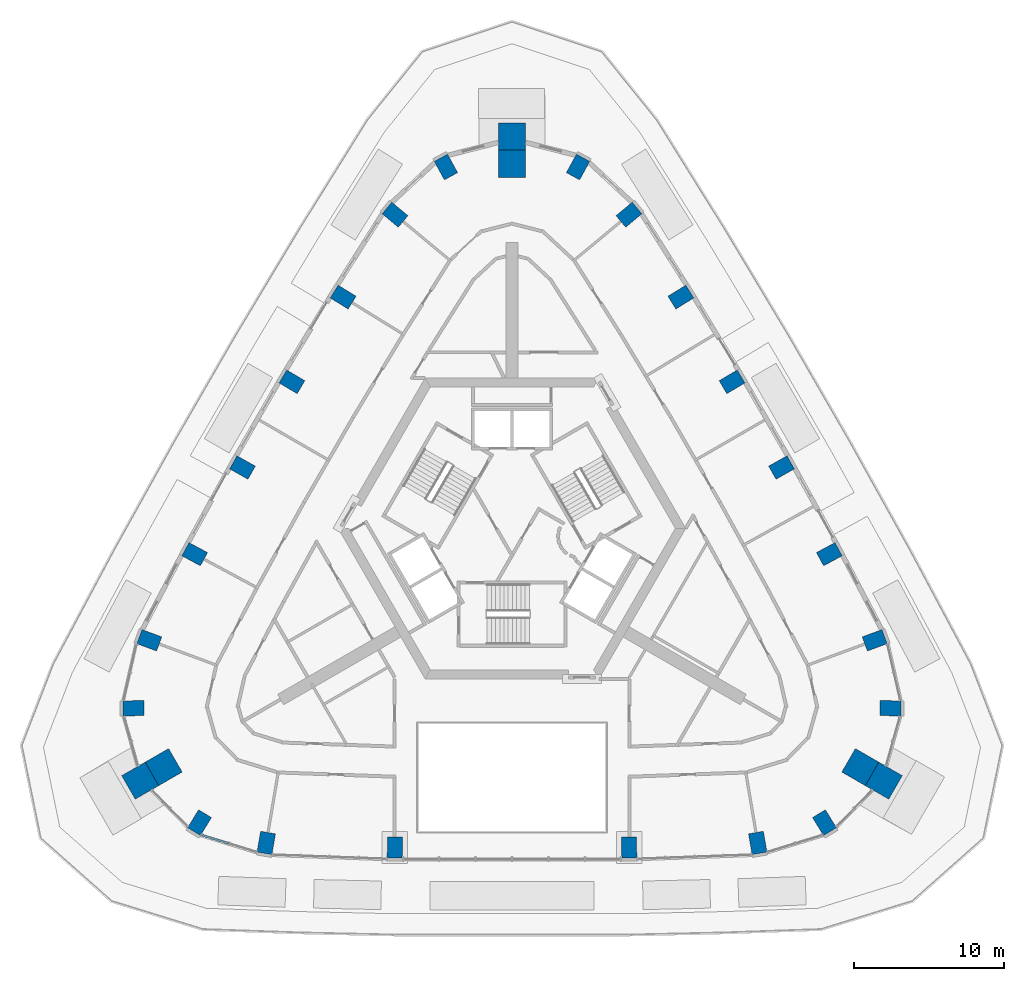
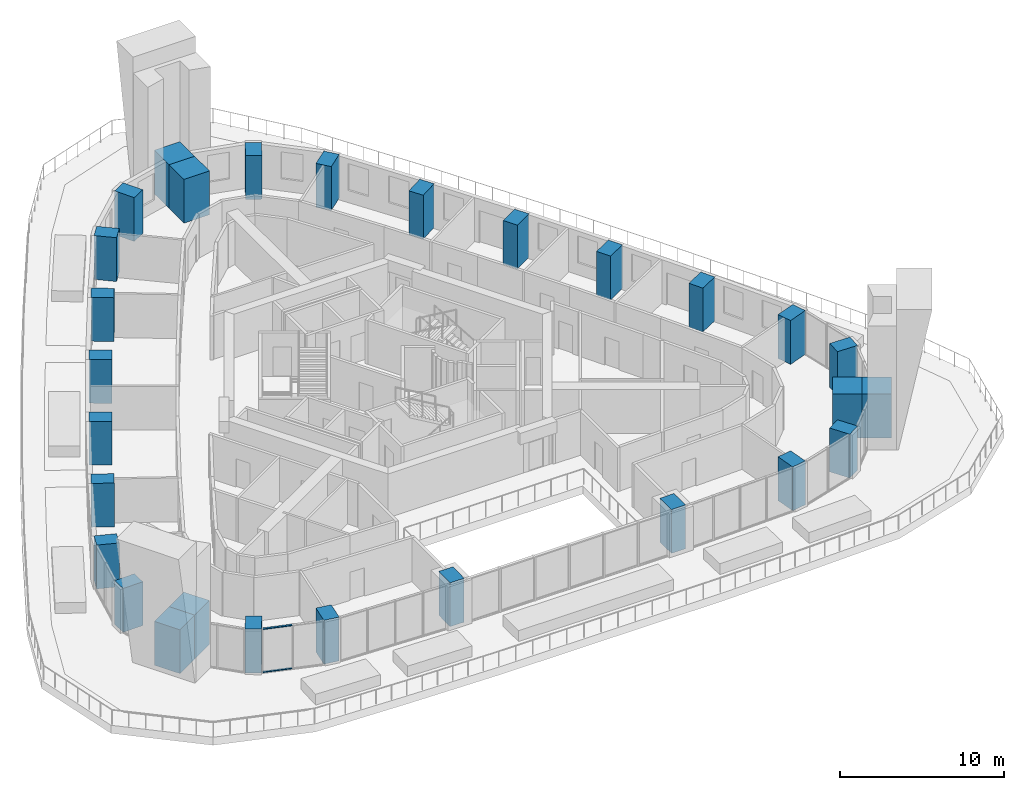
# One storey, part 1 of 14: 28 columns, 2 members, 1 element without a shape of its own.
"""IFC4 building model written with IfcOpenShell, lengths in metres."""

import ifcopenshell
import ifcopenshell.guid

model = None  # the IFC model being written
_history = None  # IfcOwnerHistory: only IFC2X3 demands one
_inside = {}  # id of a spatial element -> (the spatial element, [elements in it])
_under = {}  # id of a project, library or spatial element -> (it, [spatial elements below it])
_declared = {}  # id of a project -> (the project, [libraries it declares])
_typed = {}  # id of a type object -> (the type object, [elements of that type])
_made_of = {}  # id of a material, layer set ... -> (it, [elements and type objects made of it])


def new_model(schema):
    """Start an empty IFC model of exactly this schema.

    Asked for "IFC4X3", IfcOpenShell would pick the latest addendum, in which some entities
    have other attributes; the version numbers below select the first issue.
    IFC2X3 requires an IfcOwnerHistory on every rooted entity: one is made here for all.
    """
    global model, _history
    if schema == "IFC4X3":
        model = ifcopenshell.file(schema_version=(4, 3, 0, 0))
    else:
        model = ifcopenshell.file(schema=schema)
    _inside.clear()
    _under.clear()
    _declared.clear()
    _typed.clear()
    _made_of.clear()
    _history = None
    if model.schema == "IFC2X3":
        org = make("IfcOrganization", Name="unknown")
        user = make(
            "IfcPersonAndOrganization",
            ThePerson=make("IfcPerson", FamilyName="unknown"),
            TheOrganization=org,
        )
        app = make(
            "IfcApplication",
            ApplicationDeveloper=org,
            Version="unknown",
            ApplicationFullName="unknown",
            ApplicationIdentifier="unknown",
        )
        _history = make(
            "IfcOwnerHistory",
            OwningUser=user,
            OwningApplication=app,
            ChangeAction="ADDED",
            CreationDate=0,
        )
    return model


def make(cls, **values):
    """One entity of the class cls with the attributes given. An attribute that is None is left unset."""
    return model.create_entity(
        cls, **{name: value for name, value in values.items() if value is not None}
    )


def rooted(cls, **values):
    """An entity with a GlobalId (a new one), such as an element, a storey or a relation."""
    return make(cls, GlobalId=ifcopenshell.guid.new(), OwnerHistory=_history, **values)


def si_unit(unit_type, name, prefix=None):
    """IfcSIUnit, for example si_unit("LENGTHUNIT", "METRE", prefix="MILLI")."""
    return make("IfcSIUnit", UnitType=unit_type, Prefix=prefix, Name=name)


def assignment(units):
    """IfcUnitAssignment: the units of a project."""
    return None if units is None else make("IfcUnitAssignment", Units=units)


def point(xyz):
    """IfcCartesianPoint."""
    return None if xyz is None else make("IfcCartesianPoint", Coordinates=xyz)


def direction(xyz):
    """IfcDirection."""
    return None if xyz is None else make("IfcDirection", DirectionRatios=xyz)


def frame(location, z_axis=None, x_axis=None):
    """IfcAxis2Placement3D, a coordinate frame: its origin and axes. An axis left out is left unset."""
    return make(
        "IfcAxis2Placement3D",
        Location=point(location),
        Axis=direction(z_axis),
        RefDirection=direction(x_axis),
    )


def frame_2d(location, x_axis=None):
    """IfcAxis2Placement2D, a coordinate frame in the plane: its origin and x axis."""
    return make(
        "IfcAxis2Placement2D", Location=point(location), RefDirection=direction(x_axis)
    )


def origin():
    """The frame at (0, 0, 0) with its axes left unset."""
    return frame((0.0, 0.0, 0.0))


def origin_2d():
    """The frame at (0, 0) in the plane with its x axis left unset."""
    return frame_2d((0.0, 0.0))


def place(relative_to, where):
    """IfcLocalPlacement: puts the frame where relative to a parent placement (None: the world)."""
    return make(
        "IfcLocalPlacement", PlacementRelTo=relative_to, RelativePlacement=where
    )


def context(
    kind, dimensions, precision=None, world=None, true_north=None, identifier=None
):
    """IfcGeometricRepresentationContext, for example the 3D "Model" context."""
    return make(
        "IfcGeometricRepresentationContext",
        ContextIdentifier=identifier,
        ContextType=kind,
        CoordinateSpaceDimension=dimensions,
        Precision=precision,
        WorldCoordinateSystem=world,
        TrueNorth=true_north,
    )


def subcontext(parent, identifier, kind, view, scale=None):
    """IfcGeometricRepresentationSubContext, for example "Body" below "Model"."""
    return make(
        "IfcGeometricRepresentationSubContext",
        ContextIdentifier=identifier,
        ContextType=kind,
        ParentContext=parent,
        TargetScale=scale,
        TargetView=view,
    )


def project(units=None, contexts=None):
    """IfcProject with its units and contexts."""
    return rooted(
        "IfcProject",
        Name="project",
        RepresentationContexts=contexts,
        UnitsInContext=assignment(units),
    )


def spatial(cls, under=None, at=None, **own):
    """A site, building, storey or space (cls), placed at a placement, below another one or the project."""
    s = rooted(cls, ObjectPlacement=at, **own)
    if under is not None:
        _under.setdefault(under.id(), (under, []))[1].append(s)
    return s


def profile(cls, at=None, kind="AREA", **sizes):
    """A parametric profile (cls). Its sizes go by their IFC names, for example OverallWidth=200.0."""
    return make(cls, ProfileType=kind, Position=at, **sizes)


def rectangle(**sizes):
    """IfcRectangleProfileDef."""
    return profile("IfcRectangleProfileDef", **sizes)


def extrude(swept, where, along, depth):
    """IfcExtrudedAreaSolid: the profile swept, set in the frame where, extruded along a direction by depth."""
    return make(
        "IfcExtrudedAreaSolid",
        SweptArea=swept,
        Position=where,
        ExtrudedDirection=direction(along),
        Depth=depth,
    )


def shape(context_of_items, identifier, shape_type, items):
    """IfcShapeRepresentation: the items that make up one representation, for example the "Body"."""
    return make(
        "IfcShapeRepresentation",
        ContextOfItems=context_of_items,
        RepresentationIdentifier=identifier,
        RepresentationType=shape_type,
        Items=items,
    )


def material(Name=None, Category=None):
    """IfcMaterial."""
    return make("IfcMaterial", Name=Name, Category=Category)


def material_profile(
    of_material, cross_section, Name=None, Category=None, Priority=None
):
    """IfcMaterialProfile: a cross section and its material."""
    return make(
        "IfcMaterialProfile",
        Name=Name,
        Material=of_material,
        Profile=cross_section,
        Priority=Priority,
        Category=Category,
    )


def profile_set(profiles, Name=None, composite=None):
    """IfcMaterialProfileSet."""
    return make(
        "IfcMaterialProfileSet",
        Name=Name,
        MaterialProfiles=profiles,
        CompositeProfile=composite,
    )


def made_of(thing, what):
    """Note that an element or type object is made of a material, layer set ...; save() writes the relation."""
    if what is not None:
        _made_of.setdefault(what.id(), (what, []))[1].append(thing)
    return thing


def type_object(cls, material=None, **own):
    """A type object (cls), such as IfcWallType, which elements share."""
    return made_of(rooted(cls, **own), material)


def element(
    cls,
    number,
    at=None,
    inside=None,
    cuts=None,
    type_object=None,
    material=None,
    context=None,
    identifier="Body",
    shape_type=None,
    held_by="IfcProductDefinitionShape",
    body=None,
    shapes=None,
    **own,
):
    """One element of the class cls, such as IfcWall. Its Tag is "e" and its number.

    at: its placement. inside: the storey or other place that contains it. cuts: it is an
    opening in that element (IfcRelVoidsElement). A single representation is given by context,
    identifier, shape_type and body (its items); several are given by shapes. held_by: the class
    of the entity that holds the representations. save() writes the other relations.
    """
    e = rooted(cls, Tag="e%d" % number, ObjectPlacement=at, **own)
    if body is not None:
        shapes = [shape(context, identifier, shape_type, body)]
    if shapes is not None:
        e.Representation = make(held_by, Representations=shapes)
    if inside is not None:
        _inside.setdefault(inside.id(), (inside, []))[1].append(e)
    if cuts is not None:
        rooted(
            "IfcRelVoidsElement", RelatingBuildingElement=cuts, RelatedOpeningElement=e
        )
    if type_object is not None:
        _typed.setdefault(type_object.id(), (type_object, []))[1].append(e)
    return made_of(e, material)


def aggregate(whole, parts):
    """IfcRelAggregates: a whole, such as a stair, and the parts it consists of."""
    return rooted("IfcRelAggregates", RelatingObject=whole, RelatedObjects=parts)


def save(model, path):
    """Write the relations noted so far, then the file.

    IfcRelAggregates (storeys below a building ...), IfcRelContainedInSpatialStructure (elements
    in a storey), IfcRelDefinesByType, IfcRelAssociatesMaterial and IfcRelDeclares: one each for
    every whole, place, type object, material and project.
    """
    for whole, parts in _under.values():
        aggregate(whole, parts)
    for where, things in _inside.values():
        rooted(
            "IfcRelContainedInSpatialStructure",
            RelatedElements=things,
            RelatingStructure=where,
        )
    for kind, things in _typed.values():
        rooted("IfcRelDefinesByType", RelatedObjects=things, RelatingType=kind)
    for what, things in _made_of.values():
        rooted("IfcRelAssociatesMaterial", RelatedObjects=things, RelatingMaterial=what)
    for by, libraries in _declared.values():
        rooted("IfcRelDeclares", RelatingContext=by, RelatedDefinitions=libraries)
    model.write(path)


model = new_model("IFC4")

# Units and contexts
model_context = context("Model", 3, precision=1e-05, world=origin(), true_north=direction((0.0, 1.0)))
body_context = subcontext(model_context, "Body", "Model", "MODEL_VIEW")
ifc_project = project(units=[si_unit("LENGTHUNIT", "METRE"), si_unit("AREAUNIT", "SQUARE_METRE"), si_unit("VOLUMEUNIT", "CUBIC_METRE"), si_unit("PLANEANGLEUNIT", "RADIAN"), si_unit("MASSUNIT", "GRAM", prefix="KILO")], contexts=[model_context])

# Site, building, storey
site_placement = place(None, origin())
site = spatial("IfcSite", under=ifc_project, at=site_placement, CompositionType="ELEMENT")
building_placement = place(site_placement, origin())
building = spatial("IfcBuilding", under=site, at=building_placement, Name="Entoto Arch Interchange Tower", CompositionType="ELEMENT")
storey_placement = place(building_placement, frame((0.0, 0.0, 241.39990234375)))
storey = spatial("IfcBuildingStorey", under=building, at=storey_placement, Name="L54", CompositionType="ELEMENT", Elevation=241.39990234375)

# Columns
ifc_material_1 = material(Name="Concrete C40/50", Category="concrete")
ifc_material_profile_1 = material_profile(ifc_material_1, rectangle(XDim=1.0, YDim=1.39990234375, at=origin_2d()))
ifc_profile_set_1 = profile_set([ifc_material_profile_1], Name="Concrete C40/50")
column_type_1 = type_object("IfcColumnType", Name="Column RC 1000x1400 C40/50", PredefinedType="COLUMN", material=ifc_profile_set_1)
for number, where, z_axis, x_axis, name in (
    (1, (-16.330078125, -18.404052734375, 0.0), (0.0, 0.0, 1.0), (-0.985952343326, 0.167026874157, 0.0), "Column S01 L54"),
    (2, (-7.783935546875, -18.7080078125, 0.0), (0.0, 0.0, 1.0), (-0.999832723398, 0.018290030661, 0.0), "Column S02 L54"),
    (3, (7.783935546875, -18.7080078125, 0.0), (0.0, 0.0, 1.0), (0.999832723398, 0.018290030661, 0.0), "Column S03 L54"),
    (4, (16.330078125, -18.404052734375, 0.0), (0.0, 0.0, 1.0), (0.985952343326, 0.167026874157, 0.0), "Column S04 L54"),
    (5, (20.764892578125, -17.056884765625, 0.0), (0.0, 0.0, 1.0), (0.853341581839, 0.521352227103, 0.0), "Column SE1 L54"),
    (6, (25.154052734375, -9.4541015625, 0.0), (0.0, 0.0, 1.0), (0.024833482072, 0.999691601529, 0.0), "Column SE3 L54"),
    (7, (24.10205078125, -4.93896484375, 0.0), (0.0, 0.0, 1.0), (-0.346853804003, 0.937919206888, 0.0), "Column NE01 L54"),
    (8, (21.0859375, 0.783935546875, 0.0), (0.0, 0.0, 1.0), (-0.473980634908, 0.880535267739, 0.0), "Column NE02 L54"),
    (9, (17.910888671875, 6.5439453125, 0.0), (0.0, 0.0, 1.0), (-0.491375053773, 0.870948079124, 0.0), "Column NE03 L54"),
    (10, (14.623046875, 12.239013671875, 0.0), (0.0, 0.0, 1.0), (-0.508575635012, 0.861017318916, 0.0), "Column NE04 L54"),
    (11, (11.221923828125, 17.868896484375, 0.0), (0.0, 0.0, 1.0), (-0.525575593337, 0.850746904601, 0.0), "Column NE05 L54"),
    (12, (7.77392578125, 23.343017578125, 0.0), (0.0, 0.0, 1.0), (-0.638834957861, 0.769343809109, 0.0), "Column NE06 L54"),
    (13, (4.388916015625, 26.511962890625, 0.0), (0.0, 0.0, 1.0), (-0.87817506391, 0.478339374426, 0.0), "Column N1 L54"),
    (14, (-4.388916015625, 26.511962890625, 0.0), (0.0, 0.0, 1.0), (0.87817506391, 0.478339374426, 0.0), "Column N3 L54"),
    (15, (-7.77392578125, 23.343017578125, 0.0), (0.0, 0.0, 1.0), (0.638834957861, 0.769343809109, 0.0), "Column NW01 L54"),
    (16, (-11.221923828125, 17.868896484375, 0.0), (0.0, 0.0, 1.0), (0.525575593337, 0.850746904601, 0.0), "Column NW02 L54"),
    (17, (-14.623046875, 12.239013671875, 0.0), (0.0, 0.0, 1.0), (0.508575635012, 0.861017318916, 0.0), "Column NW03 L54"),
    (18, (-17.910888671875, 6.5439453125, 0.0), (0.0, 0.0, 1.0), (0.491375053773, 0.870948079124, 0.0), "Column NW04 L54"),
    (19, (-21.0859375, 0.783935546875, 0.0), (0.0, 0.0, 1.0), (0.473980634908, 0.880535267739, 0.0), "Column NW05 L54"),
    (20, (-24.10205078125, -4.93896484375, 0.0), (0.0, 0.0, 1.0), (0.346853804003, 0.937919206888, 0.0), "Column NW06 L54"),
    (21, (-25.154052734375, -9.4541015625, 0.0), (0.0, 0.0, 1.0), (-0.024833482072, 0.999691601529, 0.0), "Column SW1 L54"),
    (22, (-20.764892578125, -17.056884765625, 0.0), (0.0, 0.0, 1.0), (-0.853341581839, 0.521352227103, 0.0), "Column SW3 L54"),
):
    element("IfcColumn", number, at=place(storey_placement, frame(where, z_axis=z_axis, x_axis=x_axis)), inside=storey, type_object=column_type_1, Name=name, PredefinedType="COLUMN", context=body_context, shape_type="SweptSolid", body=[
        extrude(rectangle(XDim=1.0, YDim=1.39990234375, at=origin_2d()), origin(), (0.0, 0.0, 1.0), 3.260009765625),
    ])
ifc_material_2 = material(Name="Precast concrete C40/50", Category="concrete")
ifc_material_profile_2 = material_profile(ifc_material_2, rectangle(XDim=1.800048828125, YDim=1.800048828125, at=origin_2d()))
ifc_profile_set_2 = profile_set([ifc_material_profile_2], Name="Precast concrete C40/50")
column_type_2 = type_object("IfcColumnType", Name="Frame post RC 1800x1800 precast C40/50", PredefinedType="COLUMN", material=ifc_profile_set_2)
for number, where, z_axis, x_axis, name in (
    (23, (24.70703125, -14.264892578125, 0.0), (0.0, 0.0, 1.0), (-0.866025403784, 0.5, 0.0), "Frame post SE L54"),
    (24, (0.0, 28.529052734375, 0.0), (0.0, 0.0, 1.0), (0.0, 1.0, 0.0), "Frame post N L54"),
    (25, (-24.70703125, -14.264892578125, 0.0), (0.0, 0.0, 1.0), (0.866025403784, 0.5, 0.0), "Frame post SW L54"),
):
    element("IfcColumn", number, at=place(storey_placement, frame(where, z_axis=z_axis, x_axis=x_axis)), inside=storey, type_object=column_type_2, Name=name, PredefinedType="COLUMN", context=body_context, shape_type="SweptSolid", body=[
        extrude(rectangle(XDim=1.800048828125, YDim=1.800048828125, at=origin_2d()), origin(), (0.0, 0.0, 1.0), 3.260009765625),
    ])
ifc_material_profile_3 = material_profile(ifc_material_1, rectangle(XDim=1.800048828125, YDim=1.800048828125, at=origin_2d()))
ifc_profile_set_3 = profile_set([ifc_material_profile_3], Name="Concrete C40/50")
column_type_3 = type_object("IfcColumnType", Name="Mega column RC 1800x1800 C40/50", PredefinedType="COLUMN", material=ifc_profile_set_3)
for number, where, z_axis, x_axis, name in (
    (26, (23.14794921875, -13.364990234375, 0.0), (0.0, 0.0, 1.0), (-0.866025403784, 0.5, 0.0), "Corner mega column SE2 L54"),
    (27, (0.0, 26.72900390625, 0.0), (0.0, 0.0, 1.0), (0.0, 1.0, 0.0), "Corner mega column N2 L54"),
    (28, (-23.14794921875, -13.364990234375, 0.0), (0.0, 0.0, 1.0), (0.866025403784, 0.5, 0.0), "Corner mega column SW2 L54"),
):
    element("IfcColumn", number, at=place(storey_placement, frame(where, z_axis=z_axis, x_axis=x_axis)), inside=storey, type_object=column_type_3, Name=name, PredefinedType="COLUMN", context=body_context, shape_type="SweptSolid", body=[
        extrude(rectangle(XDim=1.800048828125, YDim=1.800048828125, at=origin_2d()), origin(), (0.0, 0.0, 1.0), 3.260009765625),
    ])

# Curtain wall, members
ifc_material_3 = material(Name="Aluminium, anodised", Category="aluminium")
curtain_wall_type = type_object("IfcCurtainWallType", Name="CURTAIN WALL HOTEL LOBBY", PredefinedType="NOTDEFINED", material=ifc_material_3)
curtain_wall_placement = place(storey_placement, origin())
curtain_wall = element("IfcCurtainWall", 29, at=curtain_wall_placement, inside=storey, type_object=curtain_wall_type, Name="Hotel Lobby glazing SW-04 L54", PredefinedType="NOTDEFINED")
ifc_material_profile_4 = material_profile(ifc_material_3, rectangle(XDim=0.139892578125, YDim=0.06005859375, at=origin_2d()))
ifc_profile_set_4 = profile_set([ifc_material_profile_4], Name="Aluminium, anodised")
member_type = type_object("IfcMemberType", Name="TRANSOM HOTEL LOBBY 60x140", PredefinedType="USERDEFINED", material=ifc_profile_set_4)
member_1_placement = place(storey_placement, frame((-20.596435546875, -17.8916015625, 0.030029296875), z_axis=(0.955692569051, -0.294366631025, 0.0), x_axis=(0.294366631025, 0.955692569051, 0.0)))
member_1 = element("IfcMember", 30, at=member_1_placement, type_object=member_type, Name="CWH transom 1.1", ObjectType="TRANSOM", PredefinedType="USERDEFINED", context=body_context, shape_type="SweptSolid", body=[
    extrude(rectangle(XDim=0.139892578125, YDim=0.06005859375, at=origin_2d()), origin(), (0.0, 0.0, 1.0), 1.8330078125),
])
member_2_placement = place(storey_placement, frame((-20.596435546875, -17.8916015625, 3.22998046875), z_axis=(0.955692569051, -0.294366631025, 0.0), x_axis=(0.294366631025, 0.955692569051, 0.0)))
member_2 = element("IfcMember", 31, at=member_2_placement, type_object=member_type, Name="CWH transom 1.2", ObjectType="TRANSOM", PredefinedType="USERDEFINED", context=body_context, shape_type="SweptSolid", body=[
    extrude(rectangle(XDim=0.139892578125, YDim=0.06005859375, at=origin_2d()), origin(), (0.0, 0.0, 1.0), 1.8330078125),
])
aggregate(curtain_wall, [member_1, member_2])

save(model, "model.ifc")
